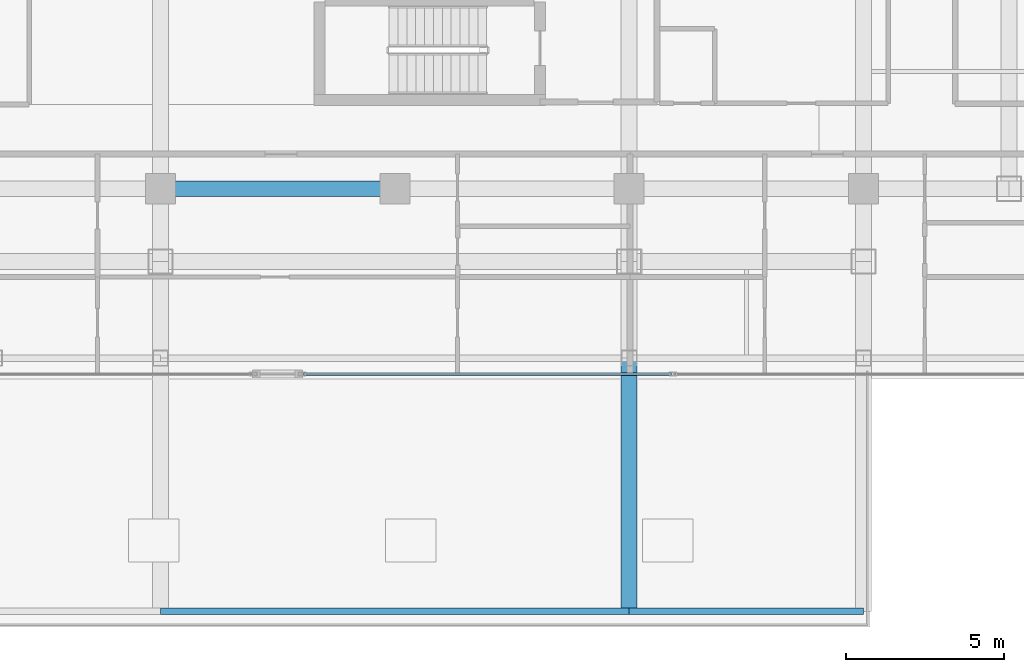
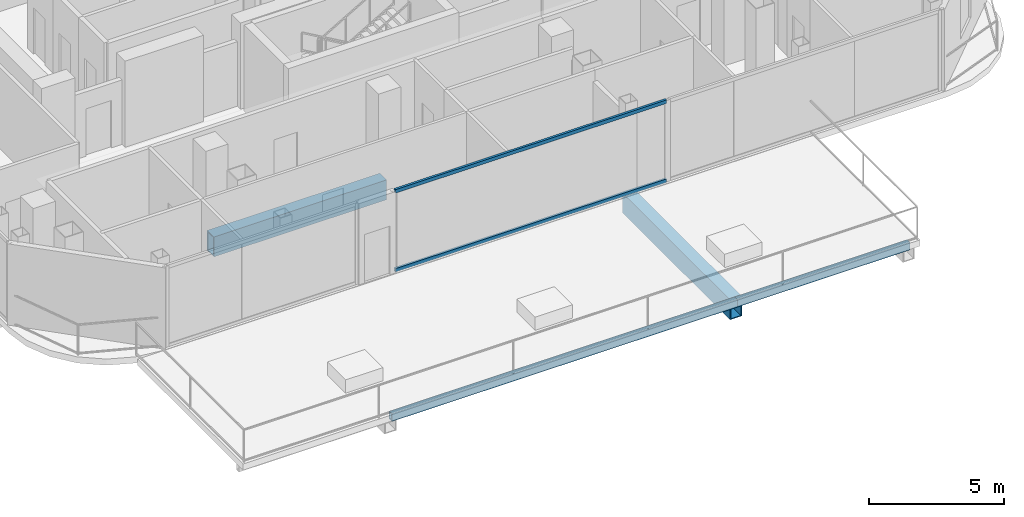
# One storey, part 3 of 25: 4 beams, 2 members, 1 element without a shape of its own.
"""IFC4 building model written with IfcOpenShell, lengths in metres."""

from ifc_helpers import new_model, si_unit, direction, frame, origin, origin_2d, place, context, subcontext, project, spatial, hollow_rectangle, extrude, material, layer, layer_set, material_profile, profile_set, type_object, element, aggregate, save


model = new_model("IFC4")

# Units and contexts
model_context = context("Model", 3, precision=1e-05, world=origin(), true_north=direction((0.0, 1.0)))
body_context = subcontext(model_context, "Body", "Model", "MODEL_VIEW")
ifc_project = project(units=[si_unit("LENGTHUNIT", "METRE"), si_unit("AREAUNIT", "SQUARE_METRE"), si_unit("VOLUMEUNIT", "CUBIC_METRE"), si_unit("PLANEANGLEUNIT", "RADIAN"), si_unit("MASSUNIT", "GRAM", prefix="KILO")], contexts=[model_context])

# Site, building, storey
site_placement = place(None, origin())
site = spatial("IfcSite", under=ifc_project, at=site_placement, CompositionType="ELEMENT")
building_placement = place(site_placement, origin())
building = spatial("IfcBuilding", under=site, at=building_placement, Name="Khorvyn Point Tower", CompositionType="ELEMENT")
storey_placement = place(building_placement, frame((0.0, 0.0, 254.699951171875)))
storey = spatial("IfcBuildingStorey", under=building, at=storey_placement, Name="L62", CompositionType="ELEMENT", Elevation=254.699951171875)

# Curtain wall, members
ifc_material_1 = material(Name="Anodised aluminium 6063-T6 and laminated Low-E glass", Category="aluminium")
ifc_layer = layer(ifc_material_1, 0.18994140625)
ifc_layer_set = layer_set([ifc_layer], Name="Stick-Built High-Wind Curtain Wall CW-SYS-04")
curtain_wall_type = type_object("IfcCurtainWallType", Name="Stick-Built High-Wind Curtain Wall CW-SYS-04", PredefinedType="NOTDEFINED", material=ifc_layer_set)
curtain_wall_placement = place(storey_placement, origin())
curtain_wall = element("IfcCurtainWall", 1, at=curtain_wall_placement, inside=storey, type_object=curtain_wall_type, Name="Curtain Wall", PredefinedType="NOTDEFINED")
ifc_material_2 = material(Name="Anodised aluminium 6063-T6", Category="aluminium")
ifc_material_profile_1 = material_profile(ifc_material_2, hollow_rectangle(XDim=0.10009765625, YDim=0.159912109375, WallThickness=0.00439453125, at=origin_2d()))
ifc_profile_set_1 = profile_set([ifc_material_profile_1], Name="Anodised aluminium 6063-T6 ALU-TRN-100x160")
member_type = type_object("IfcMemberType", Name="Anodised Aluminium 6063-T6 Transom ALU-TRN-100x160", PredefinedType="USERDEFINED", material=ifc_profile_set_1)
member_1_placement = place(storey_placement, frame((8.73291015625, -20.64990234375, 0.050048828125), z_axis=(-1.0, 0.0, 0.0), x_axis=(0.0, -1.0, 0.0)))
member_1 = element("IfcMember", 2, at=member_1_placement, type_object=member_type, Name="Transom", ObjectType="TRANSOM", PredefinedType="USERDEFINED", context=body_context, shape_type="SweptSolid", body=[
    extrude(hollow_rectangle(XDim=0.10009765625, YDim=0.159912109375, WallThickness=0.00439453125, at=origin_2d()), origin(), (0.0, 0.0, 1.0), 11.616943359375),
])
member_2_placement = place(storey_placement, frame((8.73291015625, -20.64990234375, 3.630126953125), z_axis=(-1.0, 0.0, 0.0), x_axis=(0.0, -1.0, 0.0)))
member_2 = element("IfcMember", 3, at=member_2_placement, type_object=member_type, Name="Transom", ObjectType="TRANSOM", PredefinedType="USERDEFINED", context=body_context, shape_type="SweptSolid", body=[
    extrude(hollow_rectangle(XDim=0.10009765625, YDim=0.159912109375, WallThickness=0.00439453125, at=origin_2d()), origin(), (0.0, 0.0, 1.0), 11.616943359375),
])
aggregate(curtain_wall, [member_1, member_2])

# Beams
ifc_material_3 = material(Name="Steel S355", Category="steel")
ifc_material_profile_2 = material_profile(ifc_material_3, hollow_rectangle(XDim=0.199951171875, YDim=0.35009765625, WallThickness=0.013916015625, at=origin_2d()))
ifc_profile_set_2 = profile_set([ifc_material_profile_2], Name="Steel S355 RHS350x200x14")
beam_type_1 = type_object("IfcBeamType", Name="Steel S355 Spandrel RHS350x200x14", PredefinedType="SPANDREL", material=ifc_profile_set_2)
beam_1_placement = place(storey_placement, frame((-7.39990234375, -28.14990234375, -0.454833984375), z_axis=(1.0, 0.0, 0.0), x_axis=(0.0, 1.0, 0.0)))
element("IfcBeam", 4, at=beam_1_placement, inside=storey, type_object=beam_type_1, Name="Beam", PredefinedType="SPANDREL", context=body_context, shape_type="SweptSolid", body=[
    extrude(hollow_rectangle(XDim=0.199951171875, YDim=0.35009765625, WallThickness=0.013916015625, at=origin_2d()), origin(), (0.0, 0.0, 1.0), 14.7998046875),
])
beam_2_placement = place(storey_placement, frame((7.39990234375, -28.14990234375, -0.454833984375), z_axis=(1.0, 0.0, 0.0), x_axis=(0.0, 1.0, 0.0)))
element("IfcBeam", 5, at=beam_2_placement, inside=storey, type_object=beam_type_1, Name="Beam", PredefinedType="SPANDREL", context=body_context, shape_type="SweptSolid", body=[
    extrude(hollow_rectangle(XDim=0.199951171875, YDim=0.35009765625, WallThickness=0.013916015625, at=origin_2d()), origin(), (0.0, 0.0, 1.0), 7.400146484375),
])
ifc_material_4 = material(Name="Steel S450", Category="steel")
ifc_material_profile_3 = material_profile(ifc_material_4, hollow_rectangle(XDim=0.5, YDim=0.89990234375, WallThickness=0.0400390625, at=origin_2d()))
ifc_profile_set_3 = profile_set([ifc_material_profile_3], Name="Steel S450 BOX900x500x40")
beam_type_2 = type_object("IfcBeamType", Name="Steel S450 Beam BOX900x500x40", PredefinedType="BEAM", material=ifc_profile_set_3)
beam_3_placement = place(storey_placement, frame((-7.39990234375, -14.800048828125, -0.72998046875), z_axis=(1.0, 0.0, 0.0), x_axis=(0.0, 1.0, 0.0)))
element("IfcBeam", 6, at=beam_3_placement, inside=storey, type_object=beam_type_2, Name="L62 Radial Transfer Girder", PredefinedType="BEAM", context=body_context, shape_type="SweptSolid", body=[
    extrude(hollow_rectangle(XDim=0.5, YDim=0.89990234375, WallThickness=0.0400390625, at=origin_2d()), origin(), (0.0, 0.0, 1.0), 7.39990234375),
])
beam_4_placement = place(storey_placement, frame((7.39990234375, -28.14990234375, -0.72998046875), z_axis=(0.0, 1.0, 0.0), x_axis=(-1.0, 0.0, 0.0)))
element("IfcBeam", 7, at=beam_4_placement, inside=storey, type_object=beam_type_2, Name="Beam", PredefinedType="BEAM", context=body_context, shape_type="SweptSolid", body=[
    extrude(hollow_rectangle(XDim=0.5, YDim=0.89990234375, WallThickness=0.0400390625, at=origin_2d()), origin(), (0.0, 0.0, 1.0), 8.0),
])

save(model, "model.ifc")
